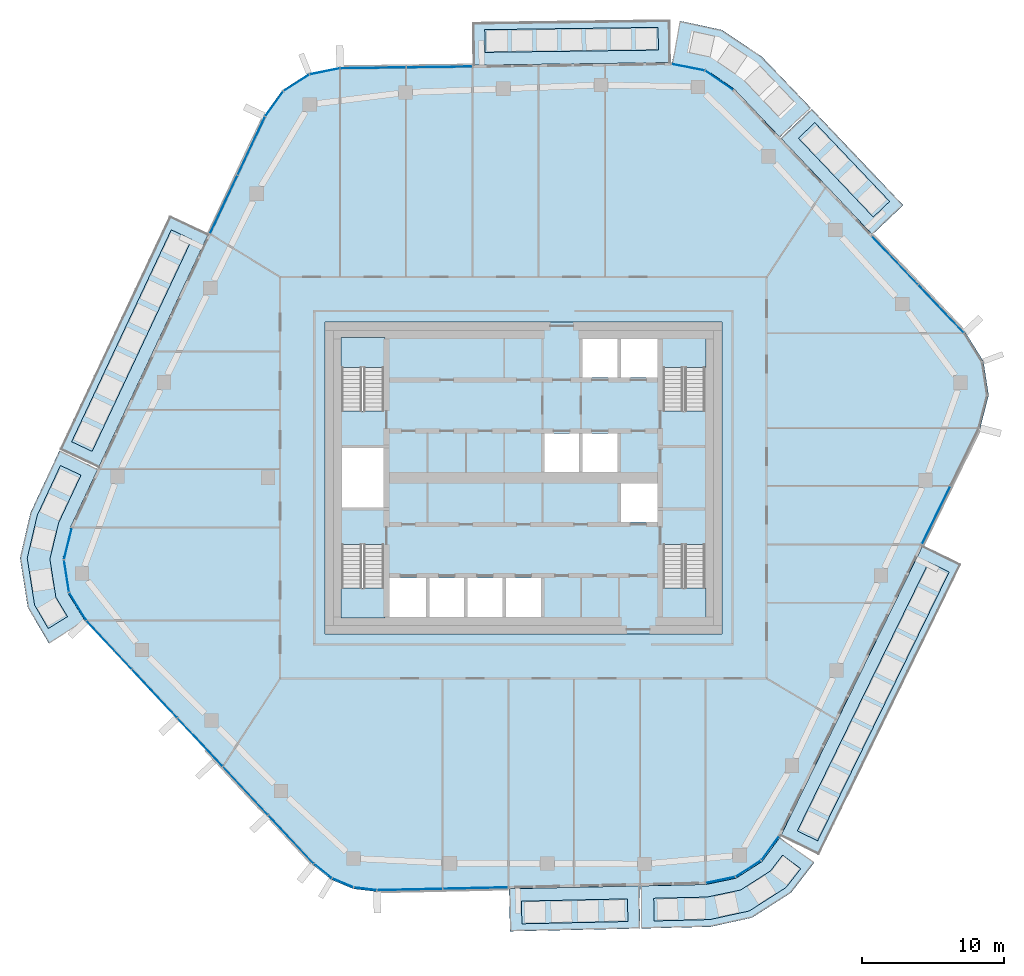
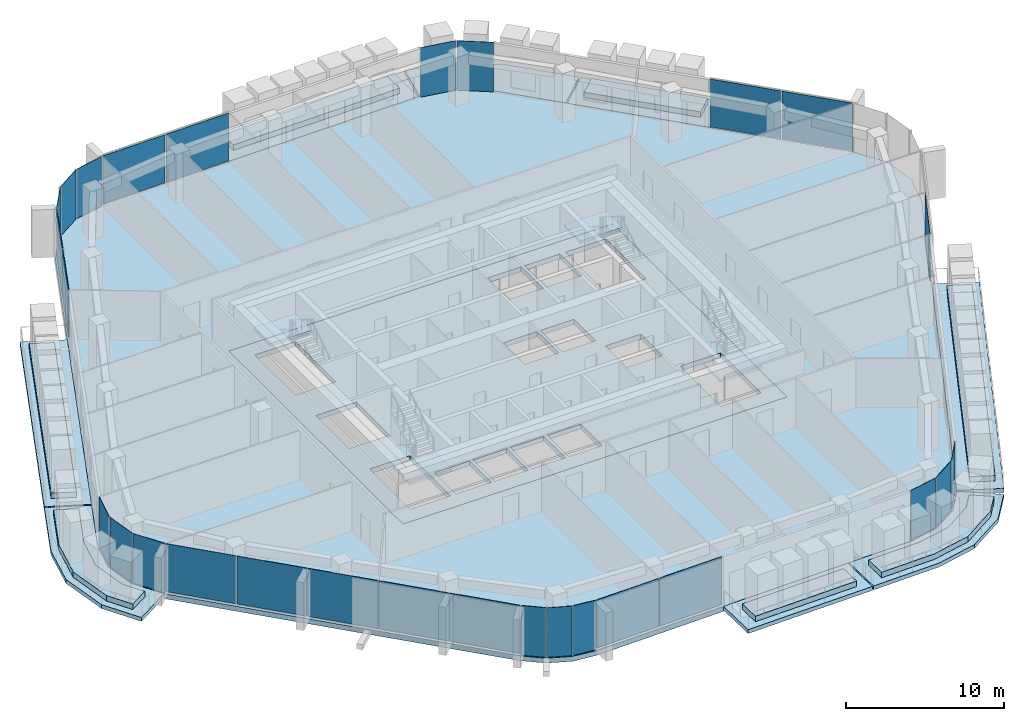
# One storey, part 11 of 23: 28 plates, 21 slabs, 15 elements without a shape of their own.
"""IFC4 building model written with IfcOpenShell, lengths in metres."""

import ifcopenshell
import ifcopenshell.guid

model = None  # the IFC model being written
_history = None  # IfcOwnerHistory: only IFC2X3 demands one
_inside = {}  # id of a spatial element -> (the spatial element, [elements in it])
_under = {}  # id of a project, library or spatial element -> (it, [spatial elements below it])
_declared = {}  # id of a project -> (the project, [libraries it declares])
_typed = {}  # id of a type object -> (the type object, [elements of that type])
_made_of = {}  # id of a material, layer set ... -> (it, [elements and type objects made of it])


def new_model(schema):
    """Start an empty IFC model of exactly this schema.

    Asked for "IFC4X3", IfcOpenShell would pick the latest addendum, in which some entities
    have other attributes; the version numbers below select the first issue.
    IFC2X3 requires an IfcOwnerHistory on every rooted entity: one is made here for all.
    """
    global model, _history
    if schema == "IFC4X3":
        model = ifcopenshell.file(schema_version=(4, 3, 0, 0))
    else:
        model = ifcopenshell.file(schema=schema)
    _inside.clear()
    _under.clear()
    _declared.clear()
    _typed.clear()
    _made_of.clear()
    _history = None
    if model.schema == "IFC2X3":
        org = make("IfcOrganization", Name="unknown")
        user = make(
            "IfcPersonAndOrganization",
            ThePerson=make("IfcPerson", FamilyName="unknown"),
            TheOrganization=org,
        )
        app = make(
            "IfcApplication",
            ApplicationDeveloper=org,
            Version="unknown",
            ApplicationFullName="unknown",
            ApplicationIdentifier="unknown",
        )
        _history = make(
            "IfcOwnerHistory",
            OwningUser=user,
            OwningApplication=app,
            ChangeAction="ADDED",
            CreationDate=0,
        )
    return model


def make(cls, **values):
    """One entity of the class cls with the attributes given. An attribute that is None is left unset."""
    return model.create_entity(
        cls, **{name: value for name, value in values.items() if value is not None}
    )


def rooted(cls, **values):
    """An entity with a GlobalId (a new one), such as an element, a storey or a relation."""
    return make(cls, GlobalId=ifcopenshell.guid.new(), OwnerHistory=_history, **values)


def si_unit(unit_type, name, prefix=None):
    """IfcSIUnit, for example si_unit("LENGTHUNIT", "METRE", prefix="MILLI")."""
    return make("IfcSIUnit", UnitType=unit_type, Prefix=prefix, Name=name)


def assignment(units):
    """IfcUnitAssignment: the units of a project."""
    return None if units is None else make("IfcUnitAssignment", Units=units)


def point(xyz):
    """IfcCartesianPoint."""
    return None if xyz is None else make("IfcCartesianPoint", Coordinates=xyz)


def direction(xyz):
    """IfcDirection."""
    return None if xyz is None else make("IfcDirection", DirectionRatios=xyz)


def frame(location, z_axis=None, x_axis=None):
    """IfcAxis2Placement3D, a coordinate frame: its origin and axes. An axis left out is left unset."""
    return make(
        "IfcAxis2Placement3D",
        Location=point(location),
        Axis=direction(z_axis),
        RefDirection=direction(x_axis),
    )


def frame_2d(location, x_axis=None):
    """IfcAxis2Placement2D, a coordinate frame in the plane: its origin and x axis."""
    return make(
        "IfcAxis2Placement2D", Location=point(location), RefDirection=direction(x_axis)
    )


def origin():
    """The frame at (0, 0, 0) with its axes left unset."""
    return frame((0.0, 0.0, 0.0))


def origin_2d():
    """The frame at (0, 0) in the plane with its x axis left unset."""
    return frame_2d((0.0, 0.0))


def place(relative_to, where):
    """IfcLocalPlacement: puts the frame where relative to a parent placement (None: the world)."""
    return make(
        "IfcLocalPlacement", PlacementRelTo=relative_to, RelativePlacement=where
    )


def context(
    kind, dimensions, precision=None, world=None, true_north=None, identifier=None
):
    """IfcGeometricRepresentationContext, for example the 3D "Model" context."""
    return make(
        "IfcGeometricRepresentationContext",
        ContextIdentifier=identifier,
        ContextType=kind,
        CoordinateSpaceDimension=dimensions,
        Precision=precision,
        WorldCoordinateSystem=world,
        TrueNorth=true_north,
    )


def subcontext(parent, identifier, kind, view, scale=None):
    """IfcGeometricRepresentationSubContext, for example "Body" below "Model"."""
    return make(
        "IfcGeometricRepresentationSubContext",
        ContextIdentifier=identifier,
        ContextType=kind,
        ParentContext=parent,
        TargetScale=scale,
        TargetView=view,
    )


def project(units=None, contexts=None):
    """IfcProject with its units and contexts."""
    return rooted(
        "IfcProject",
        Name="project",
        RepresentationContexts=contexts,
        UnitsInContext=assignment(units),
    )


def spatial(cls, under=None, at=None, **own):
    """A site, building, storey or space (cls), placed at a placement, below another one or the project."""
    s = rooted(cls, ObjectPlacement=at, **own)
    if under is not None:
        _under.setdefault(under.id(), (under, []))[1].append(s)
    return s


def polyline(points):
    """IfcPolyline through the points."""
    return make("IfcPolyline", Points=[point(p) for p in points])


def profile(cls, at=None, kind="AREA", **sizes):
    """A parametric profile (cls). Its sizes go by their IFC names, for example OverallWidth=200.0."""
    return make(cls, ProfileType=kind, Position=at, **sizes)


def rectangle(**sizes):
    """IfcRectangleProfileDef."""
    return profile("IfcRectangleProfileDef", **sizes)


def outline(outer, holes=None, kind="AREA"):
    """IfcArbitraryClosedProfileDef: a profile drawn as a closed curve; with holes, ...WithVoids."""
    if holes is None:
        return make("IfcArbitraryClosedProfileDef", ProfileType=kind, OuterCurve=outer)
    return make(
        "IfcArbitraryProfileDefWithVoids",
        ProfileType=kind,
        OuterCurve=outer,
        InnerCurves=holes,
    )


def extrude(swept, where, along, depth):
    """IfcExtrudedAreaSolid: the profile swept, set in the frame where, extruded along a direction by depth."""
    return make(
        "IfcExtrudedAreaSolid",
        SweptArea=swept,
        Position=where,
        ExtrudedDirection=direction(along),
        Depth=depth,
    )


def shape(context_of_items, identifier, shape_type, items):
    """IfcShapeRepresentation: the items that make up one representation, for example the "Body"."""
    return make(
        "IfcShapeRepresentation",
        ContextOfItems=context_of_items,
        RepresentationIdentifier=identifier,
        RepresentationType=shape_type,
        Items=items,
    )


def material(Name=None, Category=None):
    """IfcMaterial."""
    return make("IfcMaterial", Name=Name, Category=Category)


def layer(
    of_material, thickness, ventilated=None, Name=None, Category=None, Priority=None
):
    """IfcMaterialLayer: one layer of a wall or slab, of a material (None: an air gap)."""
    return make(
        "IfcMaterialLayer",
        Material=of_material,
        LayerThickness=thickness,
        IsVentilated=ventilated,
        Name=Name,
        Category=Category,
        Priority=Priority,
    )


def layer_set(layers, Name=None):
    """IfcMaterialLayerSet."""
    return make("IfcMaterialLayerSet", MaterialLayers=layers, LayerSetName=Name)


def made_of(thing, what):
    """Note that an element or type object is made of a material, layer set ...; save() writes the relation."""
    if what is not None:
        _made_of.setdefault(what.id(), (what, []))[1].append(thing)
    return thing


def type_object(cls, material=None, **own):
    """A type object (cls), such as IfcWallType, which elements share."""
    return made_of(rooted(cls, **own), material)


def element(
    cls,
    number,
    at=None,
    inside=None,
    cuts=None,
    type_object=None,
    material=None,
    context=None,
    identifier="Body",
    shape_type=None,
    held_by="IfcProductDefinitionShape",
    body=None,
    shapes=None,
    **own,
):
    """One element of the class cls, such as IfcWall. Its Tag is "e" and its number.

    at: its placement. inside: the storey or other place that contains it. cuts: it is an
    opening in that element (IfcRelVoidsElement). A single representation is given by context,
    identifier, shape_type and body (its items); several are given by shapes. held_by: the class
    of the entity that holds the representations. save() writes the other relations.
    """
    e = rooted(cls, Tag="e%d" % number, ObjectPlacement=at, **own)
    if body is not None:
        shapes = [shape(context, identifier, shape_type, body)]
    if shapes is not None:
        e.Representation = make(held_by, Representations=shapes)
    if inside is not None:
        _inside.setdefault(inside.id(), (inside, []))[1].append(e)
    if cuts is not None:
        rooted(
            "IfcRelVoidsElement", RelatingBuildingElement=cuts, RelatedOpeningElement=e
        )
    if type_object is not None:
        _typed.setdefault(type_object.id(), (type_object, []))[1].append(e)
    return made_of(e, material)


def aggregate(whole, parts):
    """IfcRelAggregates: a whole, such as a stair, and the parts it consists of."""
    return rooted("IfcRelAggregates", RelatingObject=whole, RelatedObjects=parts)


def save(model, path):
    """Write the relations noted so far, then the file.

    IfcRelAggregates (storeys below a building ...), IfcRelContainedInSpatialStructure (elements
    in a storey), IfcRelDefinesByType, IfcRelAssociatesMaterial and IfcRelDeclares: one each for
    every whole, place, type object, material and project.
    """
    for whole, parts in _under.values():
        aggregate(whole, parts)
    for where, things in _inside.values():
        rooted(
            "IfcRelContainedInSpatialStructure",
            RelatedElements=things,
            RelatingStructure=where,
        )
    for kind, things in _typed.values():
        rooted("IfcRelDefinesByType", RelatedObjects=things, RelatingType=kind)
    for what, things in _made_of.values():
        rooted("IfcRelAssociatesMaterial", RelatedObjects=things, RelatingMaterial=what)
    for by, libraries in _declared.values():
        rooted("IfcRelDeclares", RelatingContext=by, RelatedDefinitions=libraries)
    model.write(path)


model = new_model("IFC4")

# Units and contexts
model_context = context("Model", 3, precision=1e-05, world=origin(), true_north=direction((0.0, 1.0)))
body_context = subcontext(model_context, "Body", "Model", "MODEL_VIEW")
ifc_project = project(units=[si_unit("LENGTHUNIT", "METRE"), si_unit("AREAUNIT", "SQUARE_METRE"), si_unit("VOLUMEUNIT", "CUBIC_METRE"), si_unit("PLANEANGLEUNIT", "RADIAN"), si_unit("MASSUNIT", "GRAM", prefix="KILO")], contexts=[model_context])

# Site, building, storey
site_placement = place(None, origin())
site = spatial("IfcSite", under=ifc_project, at=site_placement, CompositionType="ELEMENT")
building_placement = place(site_placement, origin())
building = spatial("IfcBuilding", under=site, at=building_placement, Name="Dongbaek Canopy Tower", CompositionType="ELEMENT")
storey_placement = place(building_placement, frame((0.0, 0.0, 336.199951171875)))
storey = spatial("IfcBuildingStorey", under=building, at=storey_placement, Name="L72", CompositionType="ELEMENT", Elevation=336.199951171875)

# Slabs
ifc_material_1 = material(Name="Concrete C40/50", Category="concrete")
ifc_layer_1 = layer(ifc_material_1, 0.300048828125)
ifc_layer_set_1 = layer_set([ifc_layer_1], Name="Balcony slab 300")
slab_type_1 = type_object("IfcSlabType", Name="Balcony slab 300", PredefinedType="FLOOR", material=ifc_layer_set_1)
slab_1_placement = place(storey_placement, frame((0.0, 0.0, -0.300048828125)))
element("IfcSlab", 1, at=slab_1_placement, inside=storey, type_object=slab_type_1, Name="Balcony L72 1", PredefinedType="FLOOR", context=body_context, shape_type="SweptSolid", body=[
    extrude(outline(polyline([(24.6015625, 17.15380859375), (18.15087890625, 23.94287109375), (20.32568359375, 26.00927734375), (26.7763671875, 19.22021484375), (24.6015625, 17.15380859375)])), origin(), (0.0, 0.0, 1.0), 0.300048828125),
])
slab_2_placement = place(storey_placement, frame((0.0, 0.0, -0.300048828125)))
element("IfcSlab", 2, at=slab_2_placement, inside=storey, type_object=slab_type_1, Name="Balcony L72 6", PredefinedType="FLOOR", context=body_context, shape_type="SweptSolid", body=[
    extrude(outline(polyline([(18.08203125, 24.015380859375), (14.8564453125, 27.409912109375), (12.837158203125, 28.80615234375), (10.47705078125, 29.26708984375), (11.052001953125, 32.21142578125), (14.00244140625, 31.570556640625), (16.807373046875, 29.689208984375), (20.2568359375, 26.081787109375), (18.08203125, 24.015380859375)])), origin(), (0.0, 0.0, 1.0), 0.300048828125),
])
slab_3_placement = place(storey_placement, frame((0.0, 0.0, -0.300048828125)))
element("IfcSlab", 3, at=slab_3_placement, inside=storey, type_object=slab_type_1, Name="Balcony L72 2", PredefinedType="FLOOR", context=body_context, shape_type="SweptSolid", body=[
    extrude(outline(polyline([(10.3779296875, 29.27587890625), (-3.544677734375, 29.092529296875), (-3.584228515625, 32.09228515625), (10.33837890625, 32.275634765625), (10.3779296875, 29.27587890625)])), origin(), (0.0, 0.0, 1.0), 0.300048828125),
])
slab_4_placement = place(storey_placement, frame((0.0, 0.0, -0.300048828125)))
element("IfcSlab", 4, at=slab_4_placement, inside=storey, type_object=slab_type_1, Name="Balcony L72 3", PredefinedType="FLOOR", context=body_context, shape_type="SweptSolid", body=[
    extrude(outline(polyline([(-22.21044921875, 17.1923828125), (-29.958740234375, 0.713623046875), (-32.673583984375, 1.990234375), (-24.92529296875, 18.468994140625), (-22.21044921875, 17.1923828125)])), origin(), (0.0, 0.0, 1.0), 0.300048828125),
])
slab_5_placement = place(storey_placement, frame((0.0, 0.0, -0.300048828125)))
element("IfcSlab", 5, at=slab_5_placement, inside=storey, type_object=slab_type_1, Name="Balcony L72 7", PredefinedType="FLOOR", context=body_context, shape_type="SweptSolid", body=[
    extrude(outline(polyline([(-30.001220703125, 0.623046875), (-31.927734375, -3.473876953125), (-32.492431640625, -5.772705078125), (-32.124267578125, -8.11083984375), (-30.90673828125, -10.082275390625), (-33.459228515625, -11.65869140625), (-34.9375, -9.15283203125), (-35.48974609375, -5.6455078125), (-34.755615234375, -2.472900390625), (-32.716064453125, 1.899658203125), (-30.001220703125, 0.623046875)])), origin(), (0.0, 0.0, 1.0), 0.300048828125),
])
slab_6_placement = place(storey_placement, frame((0.0, 0.0, -0.300048828125)))
element("IfcSlab", 6, at=slab_6_placement, inside=storey, type_object=slab_type_1, Name="Balcony L72 4", PredefinedType="FLOOR", context=body_context, shape_type="SweptSolid", body=[
    extrude(outline(polyline([(-1.009033203125, -28.9716796875), (8.166015625, -28.772705078125), (8.23095703125, -31.77197265625), (-0.94384765625, -31.970947265625), (-1.009033203125, -28.9716796875)])), origin(), (0.0, 0.0, 1.0), 0.300048828125),
])
slab_7_placement = place(storey_placement, frame((0.0, 0.0, -0.300048828125)))
element("IfcSlab", 7, at=slab_7_placement, inside=storey, type_object=slab_type_1, Name="Balcony L72 8", PredefinedType="FLOOR", context=body_context, shape_type="SweptSolid", body=[
    extrude(outline(polyline([(8.265869140625, -28.7705078125), (12.853271484375, -28.671142578125), (14.984619140625, -28.22998046875), (16.818359375, -27.057861328125), (18.08349609375, -25.3486328125), (20.49462890625, -27.133544921875), (18.865966796875, -29.25048828125), (16.115234375, -31.0087890625), (13.191162109375, -31.65185546875), (8.3310546875, -31.769775390625), (8.265869140625, -28.7705078125)])), origin(), (0.0, 0.0, 1.0), 0.300048828125),
])
slab_8_placement = place(storey_placement, frame((0.0, 0.0, -0.300048828125)))
element("IfcSlab", 8, at=slab_8_placement, inside=storey, type_object=slab_type_1, Name="Balcony L72 5", PredefinedType="FLOOR", context=body_context, shape_type="SweptSolid", body=[
    extrude(outline(polyline([(18.13525390625, -25.263671875), (28.150390625, -4.78515625), (30.845458984375, -6.103271484375), (20.830078125, -26.58154296875), (18.13525390625, -25.263671875)])), origin(), (0.0, 0.0, 1.0), 0.300048828125),
])

# Curtain wall, plates
ifc_material_2 = material(Name="Aluminium 6063-T6 pale anodised", Category="aluminium")
ifc_layer_2 = layer(ifc_material_2, 0.199951171875)
ifc_layer_set_2 = layer_set([ifc_layer_2], Name="CW-1 unitised tower curtain wall")
curtain_wall_type = type_object("IfcCurtainWallType", Name="CW-1 unitised tower curtain wall", PredefinedType="NOTDEFINED", material=ifc_layer_set_2)
curtain_wall_1_placement = place(storey_placement, origin())
curtain_wall_1 = element("IfcCurtainWall", 9, at=curtain_wall_1_placement, inside=storey, type_object=curtain_wall_type, Name="CW-1 curtain wall F0.1", PredefinedType="NOTDEFINED")
ifc_material_3 = material(Name="Clear laminated glass", Category="glass")
ifc_layer_3 = layer(ifc_material_3, 0.028076171875)
ifc_layer_set_3 = layer_set([ifc_layer_3], Name="CW-1 glazed panel 28")
plate_type = type_object("IfcPlateType", Name="CW-1 glazed panel 28", PredefinedType="CURTAIN_PANEL", material=ifc_layer_set_3)
plate_1_placement = place(storey_placement, frame((29.449951171875, 11.906005859375, 0.1201171875), z_axis=(0.0, 0.0, 1.0), x_axis=(-0.688812382486, 0.724939653857, 0.0)))
plate_1 = element("IfcPlate", 10, at=plate_1_placement, type_object=plate_type, Name="CW-1 panel F0.1.1.1", PredefinedType="CURTAIN_PANEL", context=body_context, shape_type="SweptSolid", body=[
    extrude(rectangle(XDim=4.638427734375, YDim=0.028076171875, at=origin_2d()), origin(), (0.0, 0.0, 1.0), 3.699951171875),
])
plate_2_placement = place(storey_placement, frame((26.193603515625, 15.333251953125, 0.1201171875), z_axis=(0.0, 0.0, 1.0), x_axis=(-0.688812382486, 0.724939653857, 0.0)))
plate_2 = element("IfcPlate", 11, at=plate_2_placement, type_object=plate_type, Name="CW-1 panel F0.1.2.1", PredefinedType="CURTAIN_PANEL", context=body_context, shape_type="SweptSolid", body=[
    extrude(rectangle(XDim=4.648681640625, YDim=0.028076171875, at=origin_2d()), origin(), (0.0, 0.0, 1.0), 3.699951171875),
])
aggregate(curtain_wall_1, [plate_1, plate_2])

curtain_wall_2_placement = place(storey_placement, origin())
curtain_wall_2 = element("IfcCurtainWall", 12, at=curtain_wall_2_placement, inside=storey, type_object=curtain_wall_type, Name="CW-1 curtain wall K1.1", PredefinedType="NOTDEFINED")
plate_3_placement = place(storey_placement, frame((13.79443359375, 28.022705078125, 0.0), z_axis=(0.0, 0.0, 1.0), x_axis=(-0.822548356904, 0.568695173669, 0.0)))
plate_3 = element("IfcPlate", 13, at=plate_3_placement, type_object=plate_type, Name="CW-1 panel K1.1.1.1", PredefinedType="CURTAIN_PANEL", context=body_context, shape_type="SweptSolid", body=[
    extrude(rectangle(XDim=2.339599609375, YDim=0.028076171875, at=origin_2d()), origin(), (0.0, 0.0, 1.0), 3.820068359375),
])
plate_4_placement = place(storey_placement, frame((11.608154296875, 28.944091796875, 0.0), z_axis=(0.0, 0.0, 1.0), x_axis=(-0.981459618743, 0.191669029259, 0.0)))
plate_4 = element("IfcPlate", 14, at=plate_4_placement, type_object=plate_type, Name="CW-1 panel K1.1.2.1", PredefinedType="CURTAIN_PANEL", context=body_context, shape_type="SweptSolid", body=[
    extrude(rectangle(XDim=2.339599609375, YDim=0.028076171875, at=origin_2d()), origin(), (0.0, 0.0, 1.0), 3.820068359375),
])
aggregate(curtain_wall_2, [plate_3, plate_4])

curtain_wall_3_placement = place(storey_placement, origin())
curtain_wall_3 = element("IfcCurtainWall", 15, at=curtain_wall_3_placement, inside=storey, type_object=curtain_wall_type, Name="CW-1 curtain wall F1.1", PredefinedType="NOTDEFINED")
plate_5_placement = place(storey_placement, frame((-5.930419921875, 28.961181640625, 0.1201171875), z_axis=(0.0, 0.0, 1.0), x_axis=(-0.999913333476, -0.013165315653, 0.0)))
plate_5 = element("IfcPlate", 16, at=plate_5_placement, type_object=plate_type, Name="CW-1 panel F1.1.1.1", PredefinedType="CURTAIN_PANEL", context=body_context, shape_type="SweptSolid", body=[
    extrude(rectangle(XDim=4.590576171875, YDim=0.028076171875, at=origin_2d()), origin(), (0.0, 0.0, 1.0), 3.699951171875),
])
plate_6_placement = place(storey_placement, frame((-10.60009765625, 28.899658203125, 0.1201171875), z_axis=(0.0, 0.0, 1.0), x_axis=(-0.999913333476, -0.013165315653, 0.0)))
plate_6 = element("IfcPlate", 17, at=plate_6_placement, type_object=plate_type, Name="CW-1 panel F1.1.2.1", PredefinedType="CURTAIN_PANEL", context=body_context, shape_type="SweptSolid", body=[
    extrude(rectangle(XDim=4.581298828125, YDim=0.028076171875, at=origin_2d()), origin(), (0.0, 0.0, 1.0), 3.699951171875),
])
aggregate(curtain_wall_3, [plate_5, plate_6])

curtain_wall_4_placement = place(storey_placement, origin())
curtain_wall_4 = element("IfcCurtainWall", 18, at=curtain_wall_4_placement, inside=storey, type_object=curtain_wall_type, Name="CW-1 curtain wall K2.1", PredefinedType="NOTDEFINED")
plate_7_placement = place(storey_placement, frame((-14.00830078125, 28.6513671875, 0.0), z_axis=(0.0, 0.0, 1.0), x_axis=(-0.980162153839, -0.198197255735, 0.0)))
plate_7 = element("IfcPlate", 19, at=plate_7_placement, type_object=plate_type, Name="CW-1 panel K2.1.1.1", PredefinedType="CURTAIN_PANEL", context=body_context, shape_type="SweptSolid", body=[
    extrude(rectangle(XDim=2.111083984375, YDim=0.028076171875, at=origin_2d()), origin(), (0.0, 0.0, 1.0), 3.820068359375),
])
plate_8_placement = place(storey_placement, frame((-16.002685546875, 27.84228515625, 0.0), z_axis=(0.0, 0.0, 1.0), x_axis=(-0.840698942489, -0.541502805254, 0.0)))
plate_8 = element("IfcPlate", 20, at=plate_8_placement, type_object=plate_type, Name="CW-1 panel K2.1.2.1", PredefinedType="CURTAIN_PANEL", context=body_context, shape_type="SweptSolid", body=[
    extrude(rectangle(XDim=2.1015625, YDim=0.028076171875, at=origin_2d()), origin(), (0.0, 0.0, 1.0), 3.820068359375),
])
plate_9_placement = place(storey_placement, frame((-17.564453125, 26.36083984375, 0.0), z_axis=(0.0, 0.0, 1.0), x_axis=(-0.585800462636, -0.810455315225, 0.0)))
plate_9 = element("IfcPlate", 21, at=plate_9_placement, type_object=plate_type, Name="CW-1 panel K2.1.3.1", PredefinedType="CURTAIN_PANEL", context=body_context, shape_type="SweptSolid", body=[
    extrude(rectangle(XDim=2.111083984375, YDim=0.028076171875, at=origin_2d()), origin(), (0.0, 0.0, 1.0), 3.820068359375),
])
aggregate(curtain_wall_4, [plate_7, plate_8, plate_9])

curtain_wall_5_placement = place(storey_placement, origin())
curtain_wall_5 = element("IfcCurtainWall", 22, at=curtain_wall_5_placement, inside=storey, type_object=curtain_wall_type, Name="CW-1 curtain wall F2.1", PredefinedType="NOTDEFINED")
plate_10_placement = place(storey_placement, frame((-19.17919921875, 23.404541015625, 0.1201171875), z_axis=(0.0, 0.0, 1.0), x_axis=(-0.425500361514, -0.90495825448, 0.0)))
plate_10 = element("IfcPlate", 23, at=plate_10_placement, type_object=plate_type, Name="CW-1 panel F2.1.1.1", PredefinedType="CURTAIN_PANEL", context=body_context, shape_type="SweptSolid", body=[
    extrude(rectangle(XDim=4.484130859375, YDim=0.028076171875, at=origin_2d()), origin(), (0.0, 0.0, 1.0), 3.699951171875),
])
plate_11_placement = place(storey_placement, frame((-21.125, 19.266357421875, 0.1201171875), z_axis=(0.0, 0.0, 1.0), x_axis=(-0.425500361514, -0.90495825448, 0.0)))
plate_11 = element("IfcPlate", 24, at=plate_11_placement, type_object=plate_type, Name="CW-1 panel F2.1.2.1", PredefinedType="CURTAIN_PANEL", context=body_context, shape_type="SweptSolid", body=[
    extrude(rectangle(XDim=4.493408203125, YDim=0.028076171875, at=origin_2d()), origin(), (0.0, 0.0, 1.0), 3.699951171875),
])
aggregate(curtain_wall_5, [plate_10, plate_11])

curtain_wall_6_placement = place(storey_placement, origin())
curtain_wall_6 = element("IfcCurtainWall", 25, at=curtain_wall_6_placement, inside=storey, type_object=curtain_wall_type, Name="CW-1 curtain wall K3.1", PredefinedType="NOTDEFINED")
plate_12_placement = place(storey_placement, frame((-32.11181640625, -4.64208984375, 0.0), z_axis=(0.0, 0.0, 1.0), x_axis=(-0.238631910198, -0.971110092335, 0.0)))
plate_12 = element("IfcPlate", 26, at=plate_12_placement, type_object=plate_type, Name="CW-1 panel K3.1.1.1", PredefinedType="CURTAIN_PANEL", context=body_context, shape_type="SweptSolid", body=[
    extrude(rectangle(XDim=2.2529296875, YDim=0.028076171875, at=origin_2d()), origin(), (0.0, 0.0, 1.0), 3.820068359375),
])
plate_13_placement = place(storey_placement, frame((-32.209716796875, -6.92626953125, 0.0), z_axis=(0.0, 0.0, 1.0), x_axis=(0.155525099522, -0.987831940878, 0.0)))
plate_13 = element("IfcPlate", 27, at=plate_13_placement, type_object=plate_type, Name="CW-1 panel K3.1.2.1", PredefinedType="CURTAIN_PANEL", context=body_context, shape_type="SweptSolid", body=[
    extrude(rectangle(XDim=2.242919921875, YDim=0.028076171875, at=origin_2d()), origin(), (0.0, 0.0, 1.0), 3.820068359375),
])
plate_14_placement = place(storey_placement, frame((-31.41455078125, -9.069580078125, 0.0), z_axis=(0.0, 0.0, 1.0), x_axis=(0.525476280961, -0.850808249929, 0.0)))
plate_14 = element("IfcPlate", 28, at=plate_14_placement, type_object=plate_type, Name="CW-1 panel K3.1.3.1", PredefinedType="CURTAIN_PANEL", context=body_context, shape_type="SweptSolid", body=[
    extrude(rectangle(XDim=2.2529296875, YDim=0.028076171875, at=origin_2d()), origin(), (0.0, 0.0, 1.0), 3.820068359375),
])
aggregate(curtain_wall_6, [plate_12, plate_13, plate_14])

curtain_wall_7_placement = place(storey_placement, origin())
curtain_wall_7 = element("IfcCurtainWall", 29, at=curtain_wall_7_placement, inside=storey, type_object=curtain_wall_type, Name="CW-1 curtain wall F3.1", PredefinedType="NOTDEFINED")
plate_15_placement = place(storey_placement, frame((-29.20068359375, -11.77490234375, 0.1201171875), z_axis=(0.0, 0.0, 1.0), x_axis=(0.682978597195, -0.730438386022, 0.0)))
plate_15 = element("IfcPlate", 30, at=plate_15_placement, type_object=plate_type, Name="CW-1 panel F3.1.1.1", PredefinedType="CURTAIN_PANEL", context=body_context, shape_type="SweptSolid", body=[
    extrude(rectangle(XDim=4.601318359375, YDim=0.028076171875, at=origin_2d()), origin(), (0.0, 0.0, 1.0), 3.699951171875),
])
plate_16_placement = place(storey_placement, frame((-25.997314453125, -15.200927734375, 0.1201171875), z_axis=(0.0, 0.0, 1.0), x_axis=(0.682978597195, -0.730438386022, 0.0)))
plate_16 = element("IfcPlate", 31, at=plate_16_placement, type_object=plate_type, Name="CW-1 panel F3.1.2.1", PredefinedType="CURTAIN_PANEL", context=body_context, shape_type="SweptSolid", body=[
    extrude(rectangle(XDim=4.611328125, YDim=0.028076171875, at=origin_2d()), origin(), (0.0, 0.0, 1.0), 3.699951171875),
])
plate_17_placement = place(storey_placement, frame((-22.79052734375, -18.630615234375, 0.1201171875), z_axis=(0.0, 0.0, 1.0), x_axis=(0.682978597195, -0.730438386022, 0.0)))
plate_17 = element("IfcPlate", 32, at=plate_17_placement, type_object=plate_type, Name="CW-1 panel F3.1.3.1", PredefinedType="CURTAIN_PANEL", context=body_context, shape_type="SweptSolid", body=[
    extrude(rectangle(XDim=4.611328125, YDim=0.028076171875, at=origin_2d()), origin(), (0.0, 0.0, 1.0), 3.699951171875),
])
plate_18_placement = place(storey_placement, frame((-19.583740234375, -22.060302734375, 0.1201171875), z_axis=(0.0, 0.0, 1.0), x_axis=(0.682978597195, -0.730438386022, 0.0)))
plate_18 = element("IfcPlate", 33, at=plate_18_placement, type_object=plate_type, Name="CW-1 panel F3.1.4.1", PredefinedType="CURTAIN_PANEL", context=body_context, shape_type="SweptSolid", body=[
    extrude(rectangle(XDim=4.611328125, YDim=0.028076171875, at=origin_2d()), origin(), (0.0, 0.0, 1.0), 3.699951171875),
])
plate_19_placement = place(storey_placement, frame((-16.379150390625, -25.4873046875, 0.1201171875), z_axis=(0.0, 0.0, 1.0), x_axis=(0.682978597195, -0.730438386022, 0.0)))
plate_19 = element("IfcPlate", 34, at=plate_19_placement, type_object=plate_type, Name="CW-1 panel F3.1.5.1", PredefinedType="CURTAIN_PANEL", context=body_context, shape_type="SweptSolid", body=[
    extrude(rectangle(XDim=4.604248046875, YDim=0.028076171875, at=origin_2d()), origin(), (0.0, 0.0, 1.0), 3.699951171875),
])
aggregate(curtain_wall_7, [plate_15, plate_16, plate_17, plate_18, plate_19])

curtain_wall_8_placement = place(storey_placement, origin())
curtain_wall_8 = element("IfcCurtainWall", 35, at=curtain_wall_8_placement, inside=storey, type_object=curtain_wall_type, Name="CW-1 curtain wall K4.1", PredefinedType="NOTDEFINED")
plate_20_placement = place(storey_placement, frame((-14.13427734375, -27.71923828125, 0.0), z_axis=(0.0, 0.0, 1.0), x_axis=(0.778291080204, -0.62790365063, 0.0)))
plate_20 = element("IfcPlate", 36, at=plate_20_placement, type_object=plate_type, Name="CW-1 panel K4.1.1.1", PredefinedType="CURTAIN_PANEL", context=body_context, shape_type="SweptSolid", body=[
    extrude(rectangle(XDim=1.570556640625, YDim=0.028076171875, at=origin_2d()), origin(), (0.0, 0.0, 1.0), 3.820068359375),
])
plate_21_placement = place(storey_placement, frame((-12.731201171875, -28.558349609375, 0.0), z_axis=(0.0, 0.0, 1.0), x_axis=(0.92158857435, -0.388168133193, 0.0)))
plate_21 = element("IfcPlate", 37, at=plate_21_placement, type_object=plate_type, Name="CW-1 panel K4.1.2.1", PredefinedType="CURTAIN_PANEL", context=body_context, shape_type="SweptSolid", body=[
    extrude(rectangle(XDim=1.5634765625, YDim=0.028076171875, at=origin_2d()), origin(), (0.0, 0.0, 1.0), 3.820068359375),
])
plate_22_placement = place(storey_placement, frame((-11.150390625, -28.975830078125, 0.0), z_axis=(0.0, 0.0, 1.0), x_axis=(0.992995441177, -0.118152671581, 0.0)))
plate_22 = element("IfcPlate", 38, at=plate_22_placement, type_object=plate_type, Name="CW-1 panel K4.1.3.1", PredefinedType="CURTAIN_PANEL", context=body_context, shape_type="SweptSolid", body=[
    extrude(rectangle(XDim=1.570556640625, YDim=0.028076171875, at=origin_2d()), origin(), (0.0, 0.0, 1.0), 3.820068359375),
])
aggregate(curtain_wall_8, [plate_20, plate_21, plate_22])

curtain_wall_9_placement = place(storey_placement, origin())
curtain_wall_9 = element("IfcCurtainWall", 39, at=curtain_wall_9_placement, inside=storey, type_object=curtain_wall_type, Name="CW-1 curtain wall F4.1", PredefinedType="NOTDEFINED")
plate_23_placement = place(storey_placement, frame((-8.013671875, -29.0234375, 0.1201171875), z_axis=(0.0, 0.0, 1.0), x_axis=(0.999765051294, 0.021675843976, 0.0)))
plate_23 = element("IfcPlate", 40, at=plate_23_placement, type_object=plate_type, Name="CW-1 panel F4.1.1.1", PredefinedType="CURTAIN_PANEL", context=body_context, shape_type="SweptSolid", body=[
    extrude(rectangle(XDim=4.547607421875, YDim=0.028076171875, at=origin_2d()), origin(), (0.0, 0.0, 1.0), 3.699951171875),
])
plate_24_placement = place(storey_placement, frame((-3.3798828125, -28.923095703125, 0.1201171875), z_axis=(0.0, 0.0, 1.0), x_axis=(0.999765051294, 0.021675843976, 0.0)))
plate_24 = element("IfcPlate", 41, at=plate_24_placement, type_object=plate_type, Name="CW-1 panel F4.1.2.1", PredefinedType="CURTAIN_PANEL", context=body_context, shape_type="SweptSolid", body=[
    extrude(rectangle(XDim=4.554443359375, YDim=0.028076171875, at=origin_2d()), origin(), (0.0, 0.0, 1.0), 3.699951171875),
])
aggregate(curtain_wall_9, [plate_23, plate_24])

curtain_wall_10_placement = place(storey_placement, origin())
curtain_wall_10 = element("IfcCurtainWall", 42, at=curtain_wall_10_placement, inside=storey, type_object=curtain_wall_type, Name="CW-1 curtain wall K5.1", PredefinedType="NOTDEFINED")
plate_25_placement = place(storey_placement, frame((13.894287109375, -28.353515625, 0.0), z_axis=(0.0, 0.0, 1.0), x_axis=(0.979253147382, 0.20264074946, 0.0)))
plate_25 = element("IfcPlate", 43, at=plate_25_placement, type_object=plate_type, Name="CW-1 panel K5.1.1.1", PredefinedType="CURTAIN_PANEL", context=body_context, shape_type="SweptSolid", body=[
    extrude(rectangle(XDim=2.064697265625, YDim=0.028076171875, at=origin_2d()), origin(), (0.0, 0.0, 1.0), 3.820068359375),
])
plate_26_placement = place(storey_placement, frame((15.84765625, -27.5595703125, 0.0), z_axis=(0.0, 0.0, 1.0), x_axis=(0.842544412737, 0.538626876944, 0.0)))
plate_26 = element("IfcPlate", 44, at=plate_26_placement, type_object=plate_type, Name="CW-1 panel K5.1.2.1", PredefinedType="CURTAIN_PANEL", context=body_context, shape_type="SweptSolid", body=[
    extrude(rectangle(XDim=2.055419921875, YDim=0.028076171875, at=origin_2d()), origin(), (0.0, 0.0, 1.0), 3.820068359375),
])
plate_27_placement = place(storey_placement, frame((17.38818359375, -26.119873046875, 0.0), z_axis=(0.0, 0.0, 1.0), x_axis=(0.594977091521, 0.803742658172, 0.0)))
plate_27 = element("IfcPlate", 45, at=plate_27_placement, type_object=plate_type, Name="CW-1 panel K5.1.3.1", PredefinedType="CURTAIN_PANEL", context=body_context, shape_type="SweptSolid", body=[
    extrude(rectangle(XDim=2.064697265625, YDim=0.028076171875, at=origin_2d()), origin(), (0.0, 0.0, 1.0), 3.820068359375),
])
aggregate(curtain_wall_10, [plate_25, plate_26, plate_27])

# Curtain wall, plate
curtain_wall_11_placement = place(storey_placement, origin())
curtain_wall_11 = element("IfcCurtainWall", 46, at=curtain_wall_11_placement, inside=storey, type_object=curtain_wall_type, Name="CW-1 curtain wall F5.1", PredefinedType="NOTDEFINED")
plate_28_placement = place(storey_placement, frame((29.088623046875, -2.6396484375, 0.1201171875), z_axis=(0.0, 0.0, 1.0), x_axis=(0.439337288093, 0.89832218457, 0.0)))
plate_28 = element("IfcPlate", 47, at=plate_28_placement, type_object=plate_type, Name="CW-1 panel F5.1.1.1", PredefinedType="CURTAIN_PANEL", context=body_context, shape_type="SweptSolid", body=[
    extrude(rectangle(XDim=4.495361328125, YDim=0.028076171875, at=origin_2d()), origin(), (0.0, 0.0, 1.0), 3.699951171875),
])
aggregate(curtain_wall_11, [plate_28])

# Slab
ifc_material_4 = material(Name="Concrete C40/50", Category="concrete")
ifc_layer_4 = layer(ifc_material_4, 0.3798828125)
ifc_layer_set_4 = layer_set([ifc_layer_4], Name="Core floor slab 380 Concrete C40/50")
slab_type_2 = type_object("IfcSlabType", Name="Core floor slab 380 Concrete C40/50", PredefinedType="FLOOR", material=ifc_layer_set_4)
slab_9_placement = place(storey_placement, frame((0.0, 0.0, -0.3798828125)))
element("IfcSlab", 48, at=slab_9_placement, inside=storey, type_object=slab_type_2, Name="Core floor slab L72", PredefinedType="FLOOR", context=body_context, shape_type="SweptSolid", body=[
    extrude(outline(polyline([(14.0, -11.0), (14.0, 11.0), (-14.0, 11.0), (-14.0, -11.0), (14.0, -11.0)]), holes=[polyline([(-12.800048828125, 2.10009765625), (-9.85009765625, 2.10009765625), (-9.85009765625, -2.10009765625), (-12.800048828125, -2.10009765625), (-12.800048828125, 2.10009765625)]), polyline([(6.625, 9.800048828125), (6.625, 7.074951171875), (4.175048828125, 7.074951171875), (4.175048828125, 9.800048828125), (6.625, 9.800048828125)]), polyline([(9.449951171875, 7.074951171875), (6.875, 7.074951171875), (6.875, 9.800048828125), (9.449951171875, 9.800048828125), (9.449951171875, 7.074951171875)]), polyline([(1.47509765625, 0.39990234375), (1.47509765625, 3.125), (3.925048828125, 3.125), (3.925048828125, 0.39990234375), (1.47509765625, 0.39990234375)]), polyline([(4.175048828125, 0.39990234375), (4.175048828125, 3.125), (6.625, 3.125), (6.625, 0.39990234375), (4.175048828125, 0.39990234375)]), polyline([(9.449951171875, -3.125), (6.875, -3.125), (6.875, -0.39990234375), (9.449951171875, -0.39990234375), (9.449951171875, -3.125)]), polyline([(-9.449951171875, -7.074951171875), (-6.875, -7.074951171875), (-6.875, -9.800048828125), (-9.449951171875, -9.800048828125), (-9.449951171875, -7.074951171875)]), polyline([(-6.625, -9.800048828125), (-6.625, -7.074951171875), (-4.175048828125, -7.074951171875), (-4.175048828125, -9.800048828125), (-6.625, -9.800048828125)]), polyline([(-3.925048828125, -9.800048828125), (-3.925048828125, -7.074951171875), (-1.47509765625, -7.074951171875), (-1.47509765625, -9.800048828125), (-3.925048828125, -9.800048828125)]), polyline([(-1.22509765625, -9.800048828125), (-1.22509765625, -7.074951171875), (1.22509765625, -7.074951171875), (1.22509765625, -9.800048828125), (-1.22509765625, -9.800048828125)]), polyline([(12.800048828125, 4.70068359375), (12.800048828125, 9.800048828125), (9.85009765625, 9.800048828125), (9.85009765625, 4.70068359375), (12.800048828125, 4.70068359375)]), polyline([(-9.85009765625, 4.70068359375), (-9.85009765625, 9.800048828125), (-12.800048828125, 9.800048828125), (-12.800048828125, 4.70068359375), (-9.85009765625, 4.70068359375)]), polyline([(9.85009765625, -4.70068359375), (9.85009765625, -9.800048828125), (12.800048828125, -9.800048828125), (12.800048828125, -4.70068359375), (9.85009765625, -4.70068359375)]), polyline([(-12.800048828125, -4.70068359375), (-12.800048828125, -9.800048828125), (-9.85009765625, -9.800048828125), (-9.85009765625, -4.70068359375), (-12.800048828125, -4.70068359375)])]), origin(), (0.0, 0.0, 1.0), 0.3798828125),
])

# Stair, slab
ifc_material_5 = material(Name="Concrete C40/50", Category="concrete")
stair_type = type_object("IfcStairType", Name="Core exit stair", PredefinedType="HALF_TURN_STAIR", material=ifc_material_5)
stair_1_placement = place(storey_placement, origin())
stair_1 = element("IfcStair", 49, at=stair_1_placement, inside=storey, type_object=stair_type, Name="L72 exit stair A", PredefinedType="HALF_TURN_STAIR")
ifc_material_6 = material(Name="Concrete C40/50", Category="concrete")
ifc_layer_5 = layer(ifc_material_6, 0.199951171875)
ifc_layer_set_5 = layer_set([ifc_layer_5], Name="Core stair landing 200")
slab_type_3 = type_object("IfcSlabType", Name="Core stair landing 200", PredefinedType="LANDING", material=ifc_layer_set_5)
slab_10_placement = place(storey_placement, frame((0.0, 0.0, 1.900146484375)))
slab_10 = element("IfcSlab", 50, at=slab_10_placement, type_object=slab_type_3, Name="ST-A landing 1", PredefinedType="LANDING", context=body_context, shape_type="SweptSolid", body=[
    extrude(outline(polyline([(12.875, 7.780029296875), (12.875, 9.875), (9.77490234375, 9.875), (9.77490234375, 7.780029296875), (12.875, 7.780029296875)])), origin(), (0.0, 0.0, 1.0), 0.199951171875),
])
aggregate(stair_1, [slab_10])

stair_2_placement = place(storey_placement, origin())
stair_2 = element("IfcStair", 51, at=stair_2_placement, inside=storey, type_object=stair_type, Name="L72 exit stair C", PredefinedType="HALF_TURN_STAIR")
slab_11_placement = place(storey_placement, frame((0.0, 0.0, 1.900146484375)))
slab_11 = element("IfcSlab", 52, at=slab_11_placement, type_object=slab_type_3, Name="ST-C landing 1", PredefinedType="LANDING", context=body_context, shape_type="SweptSolid", body=[
    extrude(outline(polyline([(-9.77490234375, 7.780029296875), (-9.77490234375, 9.875), (-12.875, 9.875), (-12.875, 7.780029296875), (-9.77490234375, 7.780029296875)])), origin(), (0.0, 0.0, 1.0), 0.199951171875),
])
aggregate(stair_2, [slab_11])

stair_3_placement = place(storey_placement, origin())
stair_3 = element("IfcStair", 53, at=stair_3_placement, inside=storey, type_object=stair_type, Name="L72 exit stair B", PredefinedType="HALF_TURN_STAIR")
slab_12_placement = place(storey_placement, frame((0.0, 0.0, 1.900146484375)))
slab_12 = element("IfcSlab", 54, at=slab_12_placement, type_object=slab_type_3, Name="ST-B landing 1", PredefinedType="LANDING", context=body_context, shape_type="SweptSolid", body=[
    extrude(outline(polyline([(9.77490234375, -7.780029296875), (9.77490234375, -9.875), (12.875, -9.875), (12.875, -7.780029296875), (9.77490234375, -7.780029296875)])), origin(), (0.0, 0.0, 1.0), 0.199951171875),
])
aggregate(stair_3, [slab_12])

stair_4_placement = place(storey_placement, origin())
stair_4 = element("IfcStair", 55, at=stair_4_placement, inside=storey, type_object=stair_type, Name="L72 exit stair D", PredefinedType="HALF_TURN_STAIR")
slab_13_placement = place(storey_placement, frame((0.0, 0.0, 1.900146484375)))
slab_13 = element("IfcSlab", 56, at=slab_13_placement, type_object=slab_type_3, Name="ST-D landing 1", PredefinedType="LANDING", context=body_context, shape_type="SweptSolid", body=[
    extrude(outline(polyline([(-12.875, -7.780029296875), (-12.875, -9.875), (-9.77490234375, -9.875), (-9.77490234375, -7.780029296875), (-12.875, -7.780029296875)])), origin(), (0.0, 0.0, 1.0), 0.199951171875),
])
aggregate(stair_4, [slab_13])

# Slabs
ifc_material_7 = material(Name="Concrete C40", Category="concrete")
ifc_layer_6 = layer(ifc_material_7, 0.3798828125)
ifc_layer_set_6 = layer_set([ifc_layer_6], Name="RC FLAT PLATE 380 Concrete C40")
slab_type_4 = type_object("IfcSlabType", Name="RC FLAT PLATE 380 Concrete C40", PredefinedType="FLOOR", material=ifc_layer_set_6)
slab_14_placement = place(storey_placement, frame((0.0, 0.0, -0.3798828125)))
element("IfcSlab", 57, at=slab_14_placement, inside=storey, type_object=slab_type_4, Name="SLAB:L72", PredefinedType="FLOOR", context=body_context, shape_type="SweptSolid", body=[
    extrude(outline(polyline([(18.11328125, -25.30859375), (16.818359375, -27.057861328125), (14.984619140625, -28.22998046875), (12.853515625, -28.671142578125), (-10.333740234375, -29.173828125), (-11.997802734375, -28.975830078125), (-13.542236328125, -28.3251953125), (-14.846435546875, -27.273193359375), (-30.880615234375, -10.124755859375), (-32.124267578125, -8.11083984375), (-32.492431640625, -5.772705078125), (-31.927490234375, -3.473876953125), (-18.2939453125, 25.5224609375), (-16.991455078125, 27.32421875), (-15.122314453125, 28.5283203125), (-12.943115234375, 28.968994140625), (10.427978515625, 29.276611328125), (12.83740234375, 28.80615234375), (14.8564453125, 27.409912109375), (31.15576171875, 10.255859375), (32.43212890625, 8.208251953125), (32.798583984375, 5.823486328125), (32.196044921875, 3.48681640625), (18.11328125, -25.30859375)]), holes=[polyline([(14.0, 11.0), (-14.0, 11.0), (-14.0, -11.0), (14.0, -11.0), (14.0, 11.0)])]), origin(), (0.0, 0.0, 1.0), 0.3798828125),
])
ifc_material_8 = material(Name="Reinforced concrete C40/50 planter box with soil", Category="concrete")
ifc_layer_7 = layer(ifc_material_8, 0.419921875)
ifc_layer_set_7 = layer_set([ifc_layer_7], Name="Terrace planter box 1600 x 420")
slab_type_5 = type_object("IfcSlabType", Name="Terrace planter box 1600 x 420", PredefinedType="USERDEFINED", material=ifc_layer_set_7)
slab_15_placement = place(storey_placement, origin())
element("IfcSlab", 58, at=slab_15_placement, inside=storey, type_object=slab_type_5, Name="Balcony planter L72 1", ObjectType="PLANTER", PredefinedType="USERDEFINED", context=body_context, shape_type="SweptSolid", body=[
    extrude(outline(polyline([(24.661376953125, 18.383056640625), (19.381591796875, 23.939697265625), (20.54150390625, 25.041748046875), (25.8212890625, 19.485107421875), (24.661376953125, 18.383056640625)])), origin(), (0.0, 0.0, 1.0), 0.420166015625),
])
slab_16_placement = place(storey_placement, origin())
element("IfcSlab", 59, at=slab_16_placement, inside=storey, type_object=slab_type_5, Name="Balcony planter L72 2", ObjectType="PLANTER", PredefinedType="USERDEFINED", context=body_context, shape_type="SweptSolid", body=[
    extrude(outline(polyline([(9.516357421875, 30.154541015625), (-2.70654296875, 29.99365234375), (-2.7275390625, 31.593505859375), (9.4951171875, 31.75439453125), (9.516357421875, 30.154541015625)])), origin(), (0.0, 0.0, 1.0), 0.420166015625),
])
slab_17_placement = place(storey_placement, origin())
element("IfcSlab", 60, at=slab_17_placement, inside=storey, type_object=slab_type_5, Name="Balcony planter L72 3", ObjectType="PLANTER", PredefinedType="USERDEFINED", context=body_context, shape_type="SweptSolid", body=[
    extrude(outline(polyline([(-23.377685546875, 16.802001953125), (-30.40234375, 1.861572265625), (-31.850341796875, 2.542236328125), (-24.825439453125, 17.482666015625), (-23.377685546875, 16.802001953125)])), origin(), (0.0, 0.0, 1.0), 0.420166015625),
])
slab_18_placement = place(storey_placement, origin())
element("IfcSlab", 61, at=slab_18_placement, inside=storey, type_object=slab_type_5, Name="Balcony planter L72 7", ObjectType="PLANTER", PredefinedType="USERDEFINED", context=body_context, shape_type="SweptSolid", body=[
    extrude(outline(polyline([(-31.189697265625, 0.1875), (-32.7666015625, -3.177001953125), (-33.381591796875, -5.73486328125), (-32.958984375, -8.419921875), (-32.136962890625, -9.7841796875), (-33.498291015625, -10.625), (-34.459228515625, -8.975830078125), (-34.980224609375, -5.6669921875), (-34.27490234375, -2.64306640625), (-32.637451171875, 0.8681640625), (-31.189697265625, 0.1875)])), origin(), (0.0, 0.0, 1.0), 0.420166015625),
])
slab_19_placement = place(storey_placement, origin())
element("IfcSlab", 62, at=slab_19_placement, inside=storey, type_object=slab_type_5, Name="Balcony planter L72 4", ObjectType="PLANTER", PredefinedType="USERDEFINED", context=body_context, shape_type="SweptSolid", body=[
    extrude(outline(polyline([(-0.139892578125, -29.843017578125), (7.33544921875, -29.680908203125), (7.3701171875, -31.280517578125), (-0.105224609375, -31.442626953125), (-0.139892578125, -29.843017578125)])), origin(), (0.0, 0.0, 1.0), 0.420166015625),
])
slab_20_placement = place(storey_placement, origin())
element("IfcSlab", 63, at=slab_20_placement, inside=storey, type_object=slab_type_5, Name="Balcony planter L72 8", ObjectType="PLANTER", PredefinedType="USERDEFINED", context=body_context, shape_type="SweptSolid", body=[
    extrude(outline(polyline([(9.18505859375, -29.640869140625), (12.95361328125, -29.555419921875), (15.320068359375, -29.054443359375), (17.42578125, -27.708251953125), (18.263427734375, -26.6015625), (19.54931640625, -27.553466796875), (18.517822265625, -28.877685546875), (15.923095703125, -30.536376953125), (13.1337890625, -31.145263671875), (9.2197265625, -31.240478515625), (9.18505859375, -29.640869140625)])), origin(), (0.0, 0.0, 1.0), 0.420166015625),
])
slab_21_placement = place(storey_placement, origin())
element("IfcSlab", 64, at=slab_21_placement, inside=storey, type_object=slab_type_5, Name="Balcony planter L72 5", ObjectType="PLANTER", PredefinedType="USERDEFINED", context=body_context, shape_type="SweptSolid", body=[
    extrude(outline(polyline([(19.30810546875, -24.89111328125), (28.576416015625, -5.939697265625), (30.013916015625, -6.642822265625), (20.74560546875, -25.593994140625), (19.30810546875, -24.89111328125)])), origin(), (0.0, 0.0, 1.0), 0.420166015625),
])

save(model, "model.ifc")
